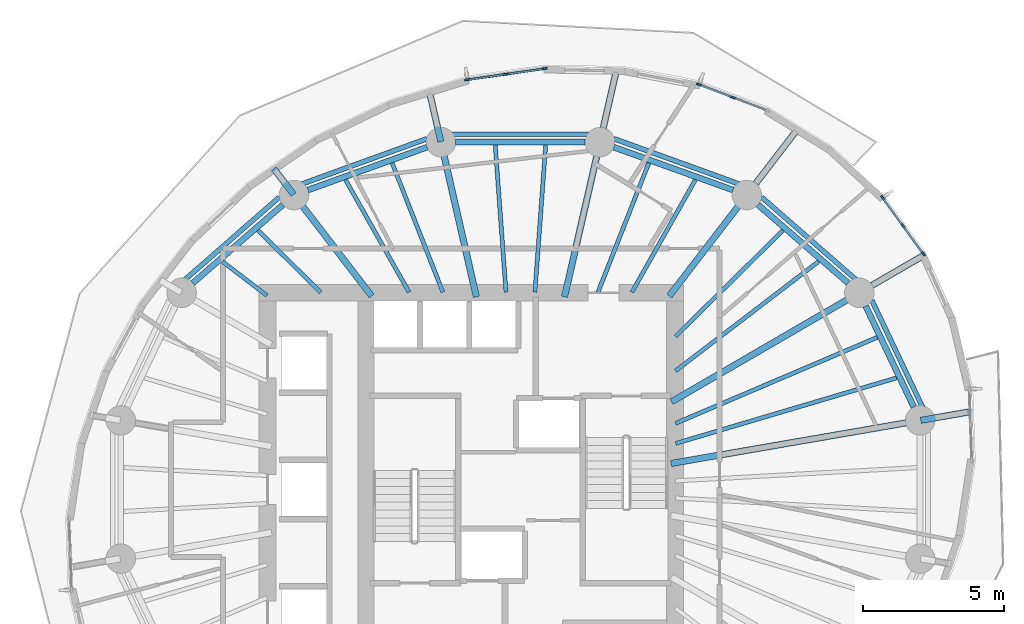
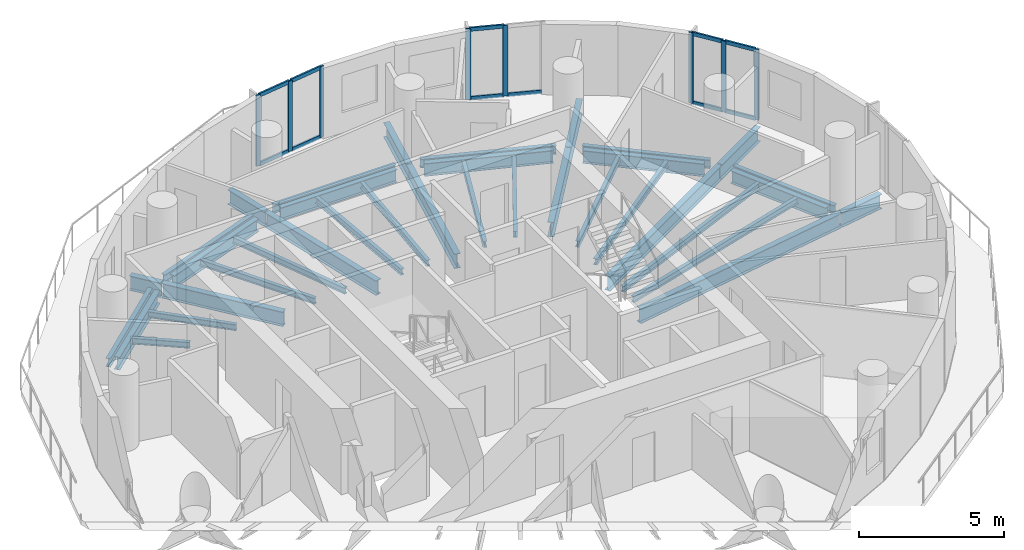
# One storey, part 3 of 14: 36 beams, 19 members, 3 elements without a shape of their own.
"""IFC4 building model written with IfcOpenShell, lengths in metres."""

from ifc_helpers import new_model, si_unit, direction, frame, origin, origin_2d, place, context, subcontext, project, spatial, rectangle, i_section, extrude, material, material_profile, profile_set, type_object, element, aggregate, save


model = new_model("IFC4")

# Units and contexts
model_context = context("Model", 3, precision=1e-05, world=origin(), true_north=direction((0.0, 1.0)))
body_context = subcontext(model_context, "Body", "Model", "MODEL_VIEW")
ifc_project = project(units=[si_unit("LENGTHUNIT", "METRE"), si_unit("AREAUNIT", "SQUARE_METRE"), si_unit("VOLUMEUNIT", "CUBIC_METRE"), si_unit("PLANEANGLEUNIT", "RADIAN"), si_unit("MASSUNIT", "GRAM", prefix="KILO")], contexts=[model_context])

# Site, building, storey
site_placement = place(None, origin())
site = spatial("IfcSite", under=ifc_project, at=site_placement, CompositionType="ELEMENT")
building_placement = place(site_placement, origin())
building = spatial("IfcBuilding", under=site, at=building_placement, Name="Veldorim Arch Residences", CompositionType="ELEMENT")
storey_placement = place(building_placement, frame((0.0, 0.0, 123.360107421875)))
storey = spatial("IfcBuildingStorey", under=building, at=storey_placement, Name="L36", CompositionType="ELEMENT", Elevation=123.360107421875)

# Beams
ifc_material_1 = material(Name="Steel S355", Category="steel")
ifc_material_profile_1 = material_profile(ifc_material_1, i_section(OverallWidth=0.2099609375, OverallDepth=0.53662109375, WebThickness=0.0107421875, FlangeThickness=0.017333984375, at=origin_2d()), Name="UB533x210x101")
ifc_profile_set_1 = profile_set([ifc_material_profile_1], Name="Steel S355")
beam_type_1 = type_object("IfcBeamType", Name="Structural Steel Beam UB533x210x101", PredefinedType="BEAM", material=ifc_profile_set_1)
beam_1_placement = place(storey_placement, frame((45.99560546875, 26.931884765625, -0.50830078125), z_axis=(-0.43028577851, 0.902692721147, 0.0), x_axis=(-0.902692721147, -0.43028577851, 0.0)))
element("IfcBeam", 1, at=beam_1_placement, inside=storey, type_object=beam_type_1, Name="L36 perimeter ring tie beam 01", PredefinedType="BEAM", context=body_context, shape_type="SweptSolid", body=[
    extrude(i_section(OverallWidth=0.2099609375, OverallDepth=0.53662109375, WebThickness=0.0107421875, FlangeThickness=0.017333984375, at=origin_2d()), origin(), (0.0, 0.0, 1.0), 3.98193359375),
])
beam_2_placement = place(storey_placement, frame((43.659912109375, 31.344482421875, -0.50830078125), z_axis=(-0.754810789581, 0.655942582802, 0.0), x_axis=(-0.655942582802, -0.754810789581, 0.0)))
element("IfcBeam", 2, at=beam_2_placement, inside=storey, type_object=beam_type_1, Name="L36 perimeter ring tie beam 02", PredefinedType="BEAM", context=body_context, shape_type="SweptSolid", body=[
    extrude(i_section(OverallWidth=0.2099609375, OverallDepth=0.53662109375, WebThickness=0.0107421875, FlangeThickness=0.017333984375, at=origin_2d()), origin(), (0.0, 0.0, 1.0), 4.249755859375),
])
beam_3_placement = place(storey_placement, frame((39.561767578125, 34.654296875, -0.50830078125), z_axis=(-0.940899155006, 0.338686846673, 0.0), x_axis=(-0.338686846673, -0.940899155006, 0.0)))
element("IfcBeam", 3, at=beam_3_placement, inside=storey, type_object=beam_type_1, Name="L36 perimeter ring tie beam 03", PredefinedType="BEAM", context=body_context, shape_type="SweptSolid", body=[
    extrude(i_section(OverallWidth=0.2099609375, OverallDepth=0.53662109375, WebThickness=0.0107421875, FlangeThickness=0.017333984375, at=origin_2d()), origin(), (0.0, 0.0, 1.0), 4.50537109375),
])
beam_4_placement = place(storey_placement, frame((34.3037109375, 36.35791015625, -0.50830078125), z_axis=(-1.0, 0.0, 0.0), x_axis=(0.0, -1.0, 0.0)))
element("IfcBeam", 4, at=beam_4_placement, inside=storey, type_object=beam_type_1, Name="L36 perimeter ring tie beam 04", PredefinedType="BEAM", context=body_context, shape_type="SweptSolid", body=[
    extrude(i_section(OverallWidth=0.2099609375, OverallDepth=0.53662109375, WebThickness=0.0107421875, FlangeThickness=0.017333984375, at=origin_2d()), origin(), (0.0, 0.0, 1.0), 4.607421875),
])
beam_5_placement = place(storey_placement, frame((28.67724609375, 36.18017578125, -0.50830078125), z_axis=(-0.940899155006, -0.338686846673, 0.0), x_axis=(0.338686846673, -0.940899155006, 0.0)))
element("IfcBeam", 5, at=beam_5_placement, inside=storey, type_object=beam_type_1, Name="L36 perimeter ring tie beam 05", PredefinedType="BEAM", context=body_context, shape_type="SweptSolid", body=[
    extrude(i_section(OverallWidth=0.2099609375, OverallDepth=0.53662109375, WebThickness=0.0107421875, FlangeThickness=0.017333984375, at=origin_2d()), origin(), (0.0, 0.0, 1.0), 4.50537109375),
])
beam_6_placement = place(storey_placement, frame((23.5478515625, 34.132080078125, -0.50830078125), z_axis=(-0.754810789581, -0.655942582802, 0.0), x_axis=(0.655942582802, -0.754810789581, 0.0)))
element("IfcBeam", 6, at=beam_6_placement, inside=storey, type_object=beam_type_1, Name="L36 perimeter ring tie beam 06", PredefinedType="BEAM", context=body_context, shape_type="SweptSolid", body=[
    extrude(i_section(OverallWidth=0.2099609375, OverallDepth=0.53662109375, WebThickness=0.0107421875, FlangeThickness=0.017333984375, at=origin_2d()), origin(), (0.0, 0.0, 1.0), 4.249755859375),
])
ifc_material_2 = material(Name="Steel S355", Category="steel")
ifc_material_profile_2 = material_profile(ifc_material_2, i_section(OverallWidth=0.22900390625, OverallDepth=0.6123046875, WebThickness=0.011962890625, FlangeThickness=0.01953125, at=origin_2d()), Name="UB610x229x125")
ifc_profile_set_2 = profile_set([ifc_material_profile_2], Name="Steel S355")
beam_type_2 = type_object("IfcBeamType", Name="Structural Steel Beam UB610x229x125", PredefinedType="BEAM", material=ifc_profile_set_2)
beam_7_placement = place(storey_placement, frame((37.352294921875, 24.925048828125, -0.546142578125), z_axis=(0.985389398766, 0.170316566427, 0.0), x_axis=(-0.170316566427, 0.985389398766, 0.0)))
element("IfcBeam", 7, at=beam_7_placement, inside=storey, type_object=beam_type_2, Name="L36 radial floor girder 01", PredefinedType="BEAM", context=body_context, shape_type="SweptSolid", body=[
    extrude(i_section(OverallWidth=0.22900390625, OverallDepth=0.6123046875, WebThickness=0.011962890625, FlangeThickness=0.01953125, at=origin_2d()), origin(), (0.0, 0.0, 1.0), 8.98046875),
])
beam_8_placement = place(storey_placement, frame((46.2412109375, 26.46142578125, -0.546142578125), z_axis=(0.985382949726, 0.170353874007, 0.0), x_axis=(-0.170353874007, 0.985382949726, 0.0)))
element("IfcBeam", 8, at=beam_8_placement, inside=storey, type_object=beam_type_2, Name="L36 radial edge cantilever girder 01", PredefinedType="BEAM", context=body_context, shape_type="SweptSolid", body=[
    extrude(i_section(OverallWidth=0.22900390625, OverallDepth=0.6123046875, WebThickness=0.011962890625, FlangeThickness=0.01953125, at=origin_2d()), origin(), (0.0, 0.0, 1.0), 1.774169921875),
])
beam_9_placement = place(storey_placement, frame((37.370361328125, 27.1181640625, -0.546142578125), z_axis=(0.864793381443, 0.502127879542, 0.0), x_axis=(-0.502127879542, 0.864793381443, 0.0)))
element("IfcBeam", 9, at=beam_9_placement, inside=storey, type_object=beam_type_2, Name="L36 radial floor girder 02", PredefinedType="BEAM", context=body_context, shape_type="SweptSolid", body=[
    extrude(i_section(OverallWidth=0.22900390625, OverallDepth=0.6123046875, WebThickness=0.011962890625, FlangeThickness=0.01953125, at=origin_2d()), origin(), (0.0, 0.0, 1.0), 7.71142578125),
])
beam_10_placement = place(storey_placement, frame((44.073486328125, 31.01025390625, -0.546142578125), z_axis=(0.86480840732, 0.502102000223, 0.0), x_axis=(-0.502102000223, 0.86480840732, 0.0)))
element("IfcBeam", 10, at=beam_10_placement, inside=storey, type_object=beam_type_2, Name="L36 radial edge cantilever girder 02", PredefinedType="BEAM", context=body_context, shape_type="SweptSolid", body=[
    extrude(i_section(OverallWidth=0.22900390625, OverallDepth=0.6123046875, WebThickness=0.011962890625, FlangeThickness=0.01953125, at=origin_2d()), origin(), (0.0, 0.0, 1.0), 2.635986328125),
])
beam_11_placement = place(storey_placement, frame((37.291259765625, 30.881103515625, -0.546142578125), z_axis=(0.609559199361, 0.792740551804, 0.0), x_axis=(-0.792740551804, 0.609559199361, 0.0)))
element("IfcBeam", 11, at=beam_11_placement, inside=storey, type_object=beam_type_2, Name="L36 radial floor girder 03", PredefinedType="BEAM", context=body_context, shape_type="SweptSolid", body=[
    extrude(i_section(OverallWidth=0.22900390625, OverallDepth=0.6123046875, WebThickness=0.011962890625, FlangeThickness=0.01953125, at=origin_2d()), origin(), (0.0, 0.0, 1.0), 4.515380859375),
])
beam_12_placement = place(storey_placement, frame((40.068115234375, 34.492431640625, -0.546142578125), z_axis=(0.609529534144, 0.792763361291, 0.0), x_axis=(-0.792763361291, 0.609529534144, 0.0)))
element("IfcBeam", 12, at=beam_12_placement, inside=storey, type_object=beam_type_2, Name="L36 radial edge cantilever girder 03", PredefinedType="BEAM", context=body_context, shape_type="SweptSolid", body=[
    extrude(i_section(OverallWidth=0.22900390625, OverallDepth=0.6123046875, WebThickness=0.011962890625, FlangeThickness=0.01953125, at=origin_2d()), origin(), (0.0, 0.0, 1.0), 2.929931640625),
])
beam_13_placement = place(storey_placement, frame((33.56884765625, 30.853759765625, -0.546142578125), z_axis=(0.223119342184, 0.974791136164, 0.0), x_axis=(-0.974791136164, 0.223119342184, 0.0)))
element("IfcBeam", 13, at=beam_13_placement, inside=storey, type_object=beam_type_2, Name="L36 radial floor girder 04", PredefinedType="BEAM", context=body_context, shape_type="SweptSolid", body=[
    extrude(i_section(OverallWidth=0.22900390625, OverallDepth=0.6123046875, WebThickness=0.011962890625, FlangeThickness=0.01953125, at=origin_2d()), origin(), (0.0, 0.0, 1.0), 5.62646484375),
])
beam_14_placement = place(storey_placement, frame((34.833251953125, 36.37744140625, -0.546142578125), z_axis=(0.223192924024, 0.974774291139, 0.0), x_axis=(-0.974774291139, 0.223192924024, 0.0)))
element("IfcBeam", 14, at=beam_14_placement, inside=storey, type_object=beam_type_2, Name="L36 radial edge cantilever girder 04", PredefinedType="BEAM", context=body_context, shape_type="SweptSolid", body=[
    extrude(i_section(OverallWidth=0.22900390625, OverallDepth=0.6123046875, WebThickness=0.011962890625, FlangeThickness=0.01953125, at=origin_2d()), origin(), (0.0, 0.0, 1.0), 2.611083984375),
])
beam_15_placement = place(storey_placement, frame((30.43115234375, 30.853759765625, -0.546142578125), z_axis=(-0.223119342184, 0.974791136164, 0.0), x_axis=(-0.974791136164, -0.223119342184, 0.0)))
element("IfcBeam", 15, at=beam_15_placement, inside=storey, type_object=beam_type_2, Name="L36 radial floor girder 05", PredefinedType="BEAM", context=body_context, shape_type="SweptSolid", body=[
    extrude(i_section(OverallWidth=0.22900390625, OverallDepth=0.6123046875, WebThickness=0.011962890625, FlangeThickness=0.01953125, at=origin_2d()), origin(), (0.0, 0.0, 1.0), 5.62646484375),
])
beam_16_placement = place(storey_placement, frame((29.166748046875, 36.37744140625, -0.546142578125), z_axis=(-0.223180402263, 0.974777158147, 0.0), x_axis=(-0.974777158147, -0.223180402263, 0.0)))
element("IfcBeam", 16, at=beam_16_placement, inside=storey, type_object=beam_type_2, Name="L36 radial edge cantilever girder 05", PredefinedType="BEAM", context=body_context, shape_type="SweptSolid", body=[
    extrude(i_section(OverallWidth=0.22900390625, OverallDepth=0.6123046875, WebThickness=0.011962890625, FlangeThickness=0.01953125, at=origin_2d()), origin(), (0.0, 0.0, 1.0), 1.826904296875),
])
beam_17_placement = place(storey_placement, frame((26.708740234375, 30.881103515625, -0.546142578125), z_axis=(-0.609559199361, 0.792740551804, 0.0), x_axis=(-0.792740551804, -0.609559199361, 0.0)))
element("IfcBeam", 17, at=beam_17_placement, inside=storey, type_object=beam_type_2, Name="L36 radial floor girder 06", PredefinedType="BEAM", context=body_context, shape_type="SweptSolid", body=[
    extrude(i_section(OverallWidth=0.22900390625, OverallDepth=0.6123046875, WebThickness=0.011962890625, FlangeThickness=0.01953125, at=origin_2d()), origin(), (0.0, 0.0, 1.0), 4.515380859375),
])
beam_18_placement = place(storey_placement, frame((23.931884765625, 34.492431640625, -0.546142578125), z_axis=(-0.609538125584, 0.792756755543, 0.0), x_axis=(-0.792756755543, -0.609538125584, 0.0)))
element("IfcBeam", 18, at=beam_18_placement, inside=storey, type_object=beam_type_2, Name="L36 radial edge cantilever girder 06", PredefinedType="BEAM", context=body_context, shape_type="SweptSolid", body=[
    extrude(i_section(OverallWidth=0.22900390625, OverallDepth=0.6123046875, WebThickness=0.011962890625, FlangeThickness=0.01953125, at=origin_2d()), origin(), (0.0, 0.0, 1.0), 1.161865234375),
])
ifc_material_3 = material(Name="Steel S355", Category="steel")
ifc_material_profile_3 = material_profile(ifc_material_3, i_section(OverallWidth=0.146484375, OverallDepth=0.256103515625, WebThickness=0.00634765625, FlangeThickness=0.010986328125, at=origin_2d()), Name="UB254x146x37")
ifc_profile_set_3 = profile_set([ifc_material_profile_3], Name="Steel S355")
beam_type_3 = type_object("IfcBeamType", Name="Structural Steel Joist UB254x146x37", PredefinedType="JOIST", material=ifc_profile_set_3)
beam_19_placement = place(storey_placement, frame((37.519287109375, 25.63818359375, -0.3681640625), z_axis=(0.958674276305, 0.284505943614, 0.0), x_axis=(-0.284505943614, 0.958674276305, 0.0)))
element("IfcBeam", 19, at=beam_19_placement, inside=storey, type_object=beam_type_3, Name="L36 secondary radial floor joist 01-1", PredefinedType="JOIST", context=body_context, shape_type="SweptSolid", body=[
    extrude(i_section(OverallWidth=0.146484375, OverallDepth=0.256103515625, WebThickness=0.00634765625, FlangeThickness=0.010986328125, at=origin_2d()), origin(), (0.0, 0.0, 1.0), 8.2001953125),
])
beam_20_placement = place(storey_placement, frame((37.518310546875, 26.353515625, -0.3681640625), z_axis=(0.919831795434, 0.39231297214, 0.0), x_axis=(-0.39231297214, 0.919831795434, 0.0)))
element("IfcBeam", 20, at=beam_20_placement, inside=storey, type_object=beam_type_3, Name="L36 secondary radial floor joist 01-2", PredefinedType="JOIST", context=body_context, shape_type="SweptSolid", body=[
    extrude(i_section(OverallWidth=0.146484375, OverallDepth=0.256103515625, WebThickness=0.00634765625, FlangeThickness=0.010986328125, at=origin_2d()), origin(), (0.0, 0.0, 1.0), 7.798828125),
])
beam_21_placement = place(storey_placement, frame((37.515869140625, 28.219482421875, -0.3681640625), z_axis=(0.794267053144, 0.607568801281, 0.0), x_axis=(-0.607568801281, 0.794267053144, 0.0)))
element("IfcBeam", 21, at=beam_21_placement, inside=storey, type_object=beam_type_3, Name="L36 secondary radial floor joist 02-1", PredefinedType="JOIST", context=body_context, shape_type="SweptSolid", body=[
    extrude(i_section(OverallWidth=0.146484375, OverallDepth=0.256103515625, WebThickness=0.00634765625, FlangeThickness=0.010986328125, at=origin_2d()), origin(), (0.0, 0.0, 1.0), 6.412841796875),
])
beam_22_placement = place(storey_placement, frame((37.51416015625, 29.443115234375, -0.3681640625), z_axis=(0.711703457158, 0.702480027523, 0.0), x_axis=(-0.702480027523, 0.711703457158, 0.0)))
element("IfcBeam", 22, at=beam_22_placement, inside=storey, type_object=beam_type_3, Name="L36 secondary radial floor joist 02-2", PredefinedType="JOIST", context=body_context, shape_type="SweptSolid", body=[
    extrude(i_section(OverallWidth=0.146484375, OverallDepth=0.256103515625, WebThickness=0.00634765625, FlangeThickness=0.010986328125, at=origin_2d()), origin(), (0.0, 0.0, 1.0), 5.373291015625),
])
beam_23_placement = place(storey_placement, frame((35.96337890625, 31.017333984375, -0.3681640625), z_axis=(0.491815801586, 0.870699269157, 0.0), x_axis=(-0.870699269157, 0.491815801586, 0.0)))
element("IfcBeam", 23, at=beam_23_placement, inside=storey, type_object=beam_type_3, Name="L36 secondary radial floor joist 03-1", PredefinedType="JOIST", context=body_context, shape_type="SweptSolid", body=[
    extrude(i_section(OverallWidth=0.146484375, OverallDepth=0.256103515625, WebThickness=0.00634765625, FlangeThickness=0.010986328125, at=origin_2d()), origin(), (0.0, 0.0, 1.0), 4.59814453125),
])
beam_24_placement = place(storey_placement, frame((34.7587890625, 31.0185546875, -0.3681640625), z_axis=(0.365777738491, 0.930702232739, 0.0), x_axis=(-0.930702232739, 0.365777738491, 0.0)))
element("IfcBeam", 24, at=beam_24_placement, inside=storey, type_object=beam_type_3, Name="L36 secondary radial floor joist 03-2", PredefinedType="JOIST", context=body_context, shape_type="SweptSolid", body=[
    extrude(i_section(OverallWidth=0.146484375, OverallDepth=0.256103515625, WebThickness=0.00634765625, FlangeThickness=0.010986328125, at=origin_2d()), origin(), (0.0, 0.0, 1.0), 4.9404296875),
])
for number, where, z_axis, x_axis, name in (
    (25, (32.51416015625, 31.02001953125, -0.3681640625), (0.073060364166, 0.997327520521, 0.0), (-0.997327520521, 0.073060364166, 0.0), "L36 secondary radial floor joist 04-1"),
    (26, (31.48583984375, 31.02001953125, -0.3681640625), (-0.073060364166, 0.997327520521, 0.0), (-0.997327520521, -0.073060364166, 0.0), "L36 secondary radial floor joist 04-2"),
):
    element("IfcBeam", number, at=place(storey_placement, frame(where, z_axis=z_axis, x_axis=x_axis)), inside=storey, type_object=beam_type_3, Name=name, PredefinedType="JOIST", context=body_context, shape_type="SweptSolid", body=[
        extrude(i_section(OverallWidth=0.146484375, OverallDepth=0.256103515625, WebThickness=0.00634765625, FlangeThickness=0.010986328125, at=origin_2d()), origin(), (0.0, 0.0, 1.0), 5.242919921875),
    ])
beam_25_placement = place(storey_placement, frame((29.2412109375, 31.0185546875, -0.3681640625), z_axis=(-0.365777738491, 0.930702232739, 0.0), x_axis=(-0.930702232739, -0.365777738491, 0.0)))
element("IfcBeam", 27, at=beam_25_placement, inside=storey, type_object=beam_type_3, Name="L36 secondary radial floor joist 05-1", PredefinedType="JOIST", context=body_context, shape_type="SweptSolid", body=[
    extrude(i_section(OverallWidth=0.146484375, OverallDepth=0.256103515625, WebThickness=0.00634765625, FlangeThickness=0.010986328125, at=origin_2d()), origin(), (0.0, 0.0, 1.0), 4.9404296875),
])
beam_26_placement = place(storey_placement, frame((28.03662109375, 31.017333984375, -0.3681640625), z_axis=(-0.491815801586, 0.870699269157, 0.0), x_axis=(-0.870699269157, -0.491815801586, 0.0)))
element("IfcBeam", 28, at=beam_26_placement, inside=storey, type_object=beam_type_3, Name="L36 secondary radial floor joist 05-2", PredefinedType="JOIST", context=body_context, shape_type="SweptSolid", body=[
    extrude(i_section(OverallWidth=0.146484375, OverallDepth=0.256103515625, WebThickness=0.00634765625, FlangeThickness=0.010986328125, at=origin_2d()), origin(), (0.0, 0.0, 1.0), 4.59814453125),
])
beam_27_placement = place(storey_placement, frame((24.894287109375, 31.013916015625, -0.3681640625), z_axis=(-0.711683379532, 0.702500368183, 0.0), x_axis=(-0.702500368183, -0.711683379532, 0.0)))
element("IfcBeam", 29, at=beam_27_placement, inside=storey, type_object=beam_type_3, Name="L36 secondary radial floor joist 06-1", PredefinedType="JOIST", context=body_context, shape_type="SweptSolid", body=[
    extrude(i_section(OverallWidth=0.146484375, OverallDepth=0.256103515625, WebThickness=0.00634765625, FlangeThickness=0.010986328125, at=origin_2d()), origin(), (0.0, 0.0, 1.0), 3.13720703125),
])
beam_28_placement = place(storey_placement, frame((22.984130859375, 30.89697265625, -0.3681640625), z_axis=(-0.794312925337, 0.607508828448, 0.0), x_axis=(-0.607508828448, -0.794312925337, 0.0)))
element("IfcBeam", 30, at=beam_28_placement, inside=storey, type_object=beam_type_3, Name="L36 secondary radial floor joist 06-2", PredefinedType="JOIST", context=body_context, shape_type="SweptSolid", body=[
    extrude(i_section(OverallWidth=0.146484375, OverallDepth=0.256103515625, WebThickness=0.00634765625, FlangeThickness=0.010986328125, at=origin_2d()), origin(), (0.0, 0.0, 1.0), 2.006103515625),
])
ifc_material_4 = material(Name="Steel S355", Category="steel")
ifc_material_profile_4 = material_profile(ifc_material_4, i_section(OverallWidth=0.172119140625, OverallDepth=0.35791015625, WebThickness=0.008056640625, FlangeThickness=0.012939453125, at=origin_2d()), Name="UB356x171x57")
ifc_profile_set_4 = profile_set([ifc_material_profile_4], Name="Steel S355")
beam_type_4 = type_object("IfcBeamType", Name="Structural Steel Spandrel UB356x171x57", PredefinedType="SPANDREL", material=ifc_profile_set_4)
beam_29_placement = place(storey_placement, frame((46.307861328125, 26.9248046875, -0.439208984375), z_axis=(-0.428579957662, 0.903503857153, 0.0), x_axis=(-0.903503857153, -0.428579957662, 0.0)))
element("IfcBeam", 31, at=beam_29_placement, inside=storey, type_object=beam_type_4, Name="L36 perimeter chord spandrel beam 01", PredefinedType="SPANDREL", context=body_context, shape_type="SweptSolid", body=[
    extrude(i_section(OverallWidth=0.172119140625, OverallDepth=0.35791015625, WebThickness=0.008056640625, FlangeThickness=0.012939453125, at=origin_2d()), origin(), (0.0, 0.0, 1.0), 4.209228515625),
])
beam_30_placement = place(storey_placement, frame((43.9580078125, 31.44921875, -0.439208984375), z_axis=(-0.753014748982, 0.658003638148, 0.0), x_axis=(-0.658003638148, -0.753014748982, 0.0)))
element("IfcBeam", 32, at=beam_30_placement, inside=storey, type_object=beam_type_4, Name="L36 perimeter chord spandrel beam 02", PredefinedType="SPANDREL", context=body_context, shape_type="SweptSolid", body=[
    extrude(i_section(OverallWidth=0.172119140625, OverallDepth=0.35791015625, WebThickness=0.008056640625, FlangeThickness=0.012939453125, at=origin_2d()), origin(), (0.0, 0.0, 1.0), 4.486572265625),
])
beam_31_placement = place(storey_placement, frame((39.79736328125, 34.86279296875, -0.439208984375), z_axis=(-0.940212553113, 0.340588248429, 0.0), x_axis=(-0.340588248429, -0.940212553113, 0.0)))
element("IfcBeam", 33, at=beam_31_placement, inside=storey, type_object=beam_type_4, Name="L36 perimeter chord spandrel beam 03", PredefinedType="SPANDREL", context=body_context, shape_type="SweptSolid", body=[
    extrude(i_section(OverallWidth=0.172119140625, OverallDepth=0.35791015625, WebThickness=0.008056640625, FlangeThickness=0.012939453125, at=origin_2d()), origin(), (0.0, 0.0, 1.0), 4.75390625),
])
beam_32_placement = place(storey_placement, frame((34.43115234375, 36.639404296875, -0.439208984375), z_axis=(-1.0, 0.0, 0.0), x_axis=(0.0, -1.0, 0.0)))
element("IfcBeam", 34, at=beam_32_placement, inside=storey, type_object=beam_type_4, Name="L36 perimeter chord spandrel beam 04", PredefinedType="SPANDREL", context=body_context, shape_type="SweptSolid", body=[
    extrude(i_section(OverallWidth=0.172119140625, OverallDepth=0.35791015625, WebThickness=0.008056640625, FlangeThickness=0.012939453125, at=origin_2d()), origin(), (0.0, 0.0, 1.0), 4.8623046875),
])
beam_33_placement = place(storey_placement, frame((28.67236328125, 36.48193359375, -0.439208984375), z_axis=(-0.940212553113, -0.340588248429, 0.0), x_axis=(0.340588248429, -0.940212553113, 0.0)))
element("IfcBeam", 35, at=beam_33_placement, inside=storey, type_object=beam_type_4, Name="L36 perimeter chord spandrel beam 05", PredefinedType="SPANDREL", context=body_context, shape_type="SweptSolid", body=[
    extrude(i_section(OverallWidth=0.172119140625, OverallDepth=0.35791015625, WebThickness=0.008056640625, FlangeThickness=0.012939453125, at=origin_2d()), origin(), (0.0, 0.0, 1.0), 4.75390625),
])
beam_34_placement = place(storey_placement, frame((23.42041015625, 34.4013671875, -0.439208984375), z_axis=(-0.753014748982, -0.658003638148, 0.0), x_axis=(0.658003638148, -0.753014748982, 0.0)))
element("IfcBeam", 36, at=beam_34_placement, inside=storey, type_object=beam_type_4, Name="L36 perimeter chord spandrel beam 06", PredefinedType="SPANDREL", context=body_context, shape_type="SweptSolid", body=[
    extrude(i_section(OverallWidth=0.172119140625, OverallDepth=0.35791015625, WebThickness=0.008056640625, FlangeThickness=0.012939453125, at=origin_2d()), origin(), (0.0, 0.0, 1.0), 4.486572265625),
])

# Curtain wall, members
ifc_material_5 = material(Name="Aluminium", Category="aluminium")
curtain_wall_type = type_object("IfcCurtainWallType", Name="Zone 3 High-Wind Unitised Curtain Wall", PredefinedType="NOTDEFINED", material=ifc_material_5)
curtain_wall_1_placement = place(storey_placement, origin())
curtain_wall_1 = element("IfcCurtainWall", 37, at=curtain_wall_1_placement, inside=storey, type_object=curtain_wall_type, Name="L36 unitised curtain wall bay 01", PredefinedType="NOTDEFINED")
ifc_material_6 = material(Name="Aluminium", Category="aluminium")
ifc_material_profile_5 = material_profile(ifc_material_6, rectangle(XDim=0.070068359375, YDim=0.179931640625, at=origin_2d()), Name="ALU_MUL_70x180")
ifc_profile_set_5 = profile_set([ifc_material_profile_5], Name="Aluminium")
member_type_1 = type_object("IfcMemberType", Name="Zone 3 High-Wind Unitised Curtain Wall Mullion 70x180", PredefinedType="MULLION", material=ifc_profile_set_5)
member_1_placement = place(storey_placement, frame((44.88623046875, 34.3798828125, 0.0), z_axis=(0.0, 0.0, 1.0), x_axis=(0.809162484713, 0.587584949886, 0.0)))
member_1 = element("IfcMember", 38, at=member_1_placement, type_object=member_type_1, Name="CW-Z3 mullion 1", PredefinedType="MULLION", context=body_context, shape_type="SweptSolid", body=[
    extrude(rectangle(XDim=0.070068359375, YDim=0.179931640625, at=origin_2d()), origin(), (0.0, 0.0, 1.0), 2.9599609375),
])
member_2_placement = place(storey_placement, frame((45.610107421875, 33.3828125, 0.0), z_axis=(0.0, 0.0, 1.0), x_axis=(0.809162484713, 0.587584949886, 0.0)))
member_2 = element("IfcMember", 39, at=member_2_placement, type_object=member_type_1, Name="CW-Z3 mullion 2", PredefinedType="MULLION", context=body_context, shape_type="SweptSolid", body=[
    extrude(rectangle(XDim=0.070068359375, YDim=0.179931640625, at=origin_2d()), origin(), (0.0, 0.0, 1.0), 2.9599609375),
])
member_3_placement = place(storey_placement, frame((46.334228515625, 32.385986328125, 0.0), z_axis=(0.0, 0.0, 1.0), x_axis=(0.809162484713, 0.587584949886, 0.0)))
member_3 = element("IfcMember", 40, at=member_3_placement, type_object=member_type_1, Name="CW-Z3 mullion 3", PredefinedType="MULLION", context=body_context, shape_type="SweptSolid", body=[
    extrude(rectangle(XDim=0.070068359375, YDim=0.179931640625, at=origin_2d()), origin(), (0.0, 0.0, 1.0), 2.9599609375),
])

curtain_wall_2_placement = place(storey_placement, origin())
curtain_wall_2 = element("IfcCurtainWall", 41, at=curtain_wall_2_placement, inside=storey, type_object=curtain_wall_type, Name="L36 unitised curtain wall bay 04", PredefinedType="NOTDEFINED")
member_4_placement = place(storey_placement, frame((38.352294921875, 38.409423828125, 0.0), z_axis=(0.0, 0.0, 1.0), x_axis=(0.356987085335, 0.934109319568, 0.0)))
member_4 = element("IfcMember", 42, at=member_4_placement, type_object=member_type_1, Name="CW-Z3 mullion 1", PredefinedType="MULLION", context=body_context, shape_type="SweptSolid", body=[
    extrude(rectangle(XDim=0.070068359375, YDim=0.179931640625, at=origin_2d()), origin(), (0.0, 0.0, 1.0), 2.9599609375),
])
member_5_placement = place(storey_placement, frame((39.56298828125, 37.94677734375, 0.0), z_axis=(0.0, 0.0, 1.0), x_axis=(0.356987085335, 0.934109319568, 0.0)))
member_5 = element("IfcMember", 43, at=member_5_placement, type_object=member_type_1, Name="CW-Z3 mullion 2", PredefinedType="MULLION", context=body_context, shape_type="SweptSolid", body=[
    extrude(rectangle(XDim=0.070068359375, YDim=0.179931640625, at=origin_2d()), origin(), (0.0, 0.0, 1.0), 2.9599609375),
])

curtain_wall_3_placement = place(storey_placement, origin())
curtain_wall_3 = element("IfcCurtainWall", 44, at=curtain_wall_3_placement, inside=storey, type_object=curtain_wall_type, Name="L36 unitised curtain wall bay 07", PredefinedType="NOTDEFINED")
member_6_placement = place(storey_placement, frame((30.1103515625, 38.580078125, 0.0), z_axis=(0.0, 0.0, 1.0), x_axis=(-0.142119625096, 0.989849489651, 0.0)))
member_6 = element("IfcMember", 45, at=member_6_placement, type_object=member_type_1, Name="CW-Z3 mullion 1", PredefinedType="MULLION", context=body_context, shape_type="SweptSolid", body=[
    extrude(rectangle(XDim=0.070068359375, YDim=0.179931640625, at=origin_2d()), origin(), (0.0, 0.0, 1.0), 2.9599609375),
])
member_7_placement = place(storey_placement, frame((31.484619140625, 38.77734375, 0.0), z_axis=(0.0, 0.0, 1.0), x_axis=(-0.142119625096, 0.989849489651, 0.0)))
member_7 = element("IfcMember", 46, at=member_7_placement, type_object=member_type_1, Name="CW-Z3 mullion 2", PredefinedType="MULLION", context=body_context, shape_type="SweptSolid", body=[
    extrude(rectangle(XDim=0.070068359375, YDim=0.179931640625, at=origin_2d()), origin(), (0.0, 0.0, 1.0), 2.9599609375),
])
member_8_placement = place(storey_placement, frame((32.859130859375, 38.974609375, 0.0), z_axis=(0.0, 0.0, 1.0), x_axis=(-0.142119625096, 0.989849489651, 0.0)))
member_8 = element("IfcMember", 47, at=member_8_placement, type_object=member_type_1, Name="CW-Z3 mullion 3", PredefinedType="MULLION", context=body_context, shape_type="SweptSolid", body=[
    extrude(rectangle(XDim=0.070068359375, YDim=0.179931640625, at=origin_2d()), origin(), (0.0, 0.0, 1.0), 2.9599609375),
])

# Member
ifc_material_7 = material(Name="Aluminium", Category="aluminium")
ifc_material_profile_6 = material_profile(ifc_material_7, rectangle(XDim=0.070068359375, YDim=0.155029296875, at=origin_2d()), Name="ALU_TRN_70x155")
ifc_profile_set_6 = profile_set([ifc_material_profile_6], Name="Aluminium")
member_type_2 = type_object("IfcMemberType", Name="Zone 3 High-Wind Unitised Curtain Wall Transom 70x155", PredefinedType="USERDEFINED", material=ifc_profile_set_6)
member_9_placement = place(storey_placement, frame((44.90673828125, 34.3515625, 0.034912109375), z_axis=(0.587559494022, -0.809180969243, 0.0), x_axis=(0.809180969243, 0.587559494022, 0.0)))
member_9 = element("IfcMember", 48, at=member_9_placement, type_object=member_type_2, Name="CW-Z3 transom 1.1", ObjectType="TRANSOM", PredefinedType="USERDEFINED", context=body_context, shape_type="SweptSolid", body=[
    extrude(rectangle(XDim=0.070068359375, YDim=0.155029296875, at=origin_2d()), origin(), (0.0, 0.0, 1.0), 1.162109375),
])

member_10_placement = place(storey_placement, frame((44.90673828125, 34.3515625, 2.9248046875), z_axis=(0.587559494022, -0.809180969243, 0.0), x_axis=(0.809180969243, 0.587559494022, 0.0)))
member_10 = element("IfcMember", 49, at=member_10_placement, type_object=member_type_2, Name="CW-Z3 transom 1.2", ObjectType="TRANSOM", PredefinedType="USERDEFINED", context=body_context, shape_type="SweptSolid", body=[
    extrude(rectangle(XDim=0.070068359375, YDim=0.155029296875, at=origin_2d()), origin(), (0.0, 0.0, 1.0), 1.162109375),
])

member_11_placement = place(storey_placement, frame((45.630859375, 33.3544921875, 0.034912109375), z_axis=(0.587521810484, -0.809208330534, 0.0), x_axis=(0.809208330534, 0.587521810484, 0.0)))
member_11 = element("IfcMember", 50, at=member_11_placement, type_object=member_type_2, Name="CW-Z3 transom 2.1", ObjectType="TRANSOM", PredefinedType="USERDEFINED", context=body_context, shape_type="SweptSolid", body=[
    extrude(rectangle(XDim=0.070068359375, YDim=0.155029296875, at=origin_2d()), origin(), (0.0, 0.0, 1.0), 1.161865234375),
])

member_12_placement = place(storey_placement, frame((45.630859375, 33.3544921875, 2.9248046875), z_axis=(0.587521810484, -0.809208330534, 0.0), x_axis=(0.809208330534, 0.587521810484, 0.0)))
member_12 = element("IfcMember", 51, at=member_12_placement, type_object=member_type_2, Name="CW-Z3 transom 2.2", ObjectType="TRANSOM", PredefinedType="USERDEFINED", context=body_context, shape_type="SweptSolid", body=[
    extrude(rectangle(XDim=0.070068359375, YDim=0.155029296875, at=origin_2d()), origin(), (0.0, 0.0, 1.0), 1.161865234375),
])

aggregate(curtain_wall_1, [member_1, member_2, member_3, member_9, member_10, member_11, member_12])

member_13_placement = place(storey_placement, frame((38.385009765625, 38.39697265625, 0.034912109375), z_axis=(0.934092855841, -0.357030162124, 0.0), x_axis=(0.357030162124, 0.934092855841, 0.0)))
member_13 = element("IfcMember", 52, at=member_13_placement, type_object=member_type_2, Name="CW-Z3 transom 1.1", ObjectType="TRANSOM", PredefinedType="USERDEFINED", context=body_context, shape_type="SweptSolid", body=[
    extrude(rectangle(XDim=0.070068359375, YDim=0.155029296875, at=origin_2d()), origin(), (0.0, 0.0, 1.0), 1.22607421875),
])

member_14_placement = place(storey_placement, frame((38.385009765625, 38.39697265625, 2.9248046875), z_axis=(0.934092855841, -0.357030162124, 0.0), x_axis=(0.357030162124, 0.934092855841, 0.0)))
member_14 = element("IfcMember", 53, at=member_14_placement, type_object=member_type_2, Name="CW-Z3 transom 1.2", ObjectType="TRANSOM", PredefinedType="USERDEFINED", context=body_context, shape_type="SweptSolid", body=[
    extrude(rectangle(XDim=0.070068359375, YDim=0.155029296875, at=origin_2d()), origin(), (0.0, 0.0, 1.0), 1.22607421875),
])

member_15_placement = place(storey_placement, frame((39.595703125, 37.934326171875, 0.034912109375), z_axis=(0.934067466256, -0.357096581449, 0.0), x_axis=(0.357096581449, 0.934067466256, 0.0)))
member_15 = element("IfcMember", 54, at=member_15_placement, type_object=member_type_2, Name="CW-Z3 transom 2.1", ObjectType="TRANSOM", PredefinedType="USERDEFINED", context=body_context, shape_type="SweptSolid", body=[
    extrude(rectangle(XDim=0.070068359375, YDim=0.155029296875, at=origin_2d()), origin(), (0.0, 0.0, 1.0), 1.225830078125),
])

aggregate(curtain_wall_2, [member_4, member_5, member_13, member_14, member_15])

member_16_placement = place(storey_placement, frame((30.14501953125, 38.5849609375, 0.034912109375), z_axis=(0.989834350319, 0.142225029195, 0.0), x_axis=(-0.142225029195, 0.989834350319, 0.0)))
member_16 = element("IfcMember", 55, at=member_16_placement, type_object=member_type_2, Name="CW-Z3 transom 1.1", ObjectType="TRANSOM", PredefinedType="USERDEFINED", context=body_context, shape_type="SweptSolid", body=[
    extrude(rectangle(XDim=0.070068359375, YDim=0.155029296875, at=origin_2d()), origin(), (0.0, 0.0, 1.0), 1.318359375),
])

member_17_placement = place(storey_placement, frame((30.14501953125, 38.5849609375, 2.9248046875), z_axis=(0.989834350319, 0.142225029195, 0.0), x_axis=(-0.142225029195, 0.989834350319, 0.0)))
member_17 = element("IfcMember", 56, at=member_17_placement, type_object=member_type_2, Name="CW-Z3 transom 1.2", ObjectType="TRANSOM", PredefinedType="USERDEFINED", context=body_context, shape_type="SweptSolid", body=[
    extrude(rectangle(XDim=0.070068359375, YDim=0.155029296875, at=origin_2d()), origin(), (0.0, 0.0, 1.0), 1.318359375),
])

member_18_placement = place(storey_placement, frame((31.519287109375, 38.782470703125, 0.034912109375), z_axis=(0.989864140626, 0.142017545054, 0.0), x_axis=(-0.142017545054, 0.989864140626, 0.0)))
member_18 = element("IfcMember", 57, at=member_18_placement, type_object=member_type_2, Name="CW-Z3 transom 2.1", ObjectType="TRANSOM", PredefinedType="USERDEFINED", context=body_context, shape_type="SweptSolid", body=[
    extrude(rectangle(XDim=0.070068359375, YDim=0.155029296875, at=origin_2d()), origin(), (0.0, 0.0, 1.0), 1.318603515625),
])

member_19_placement = place(storey_placement, frame((31.519287109375, 38.782470703125, 2.9248046875), z_axis=(0.989864140626, 0.142017545054, 0.0), x_axis=(-0.142017545054, 0.989864140626, 0.0)))
member_19 = element("IfcMember", 58, at=member_19_placement, type_object=member_type_2, Name="CW-Z3 transom 2.2", ObjectType="TRANSOM", PredefinedType="USERDEFINED", context=body_context, shape_type="SweptSolid", body=[
    extrude(rectangle(XDim=0.070068359375, YDim=0.155029296875, at=origin_2d()), origin(), (0.0, 0.0, 1.0), 1.318603515625),
])

aggregate(curtain_wall_3, [member_6, member_7, member_8, member_16, member_17, member_18, member_19])

save(model, "model.ifc")
